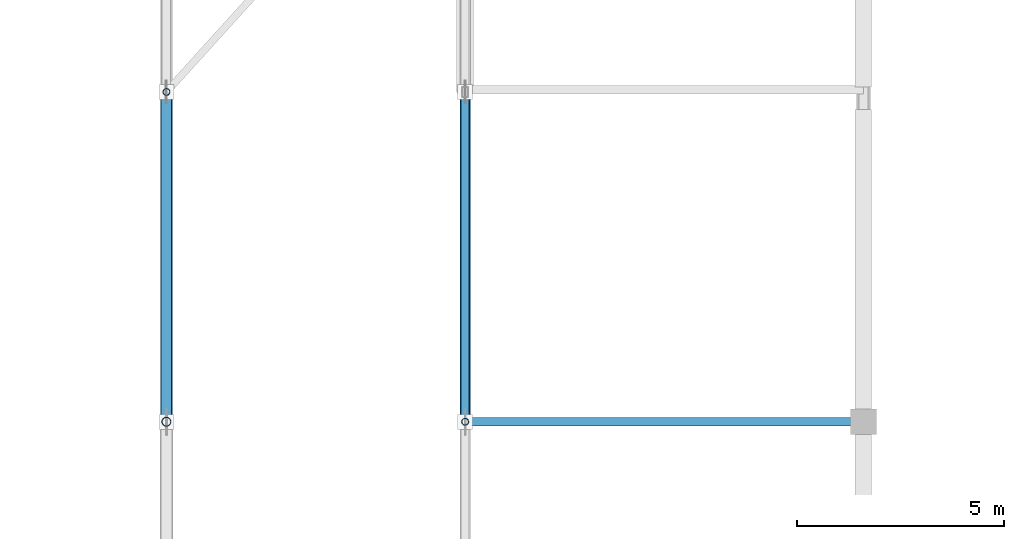
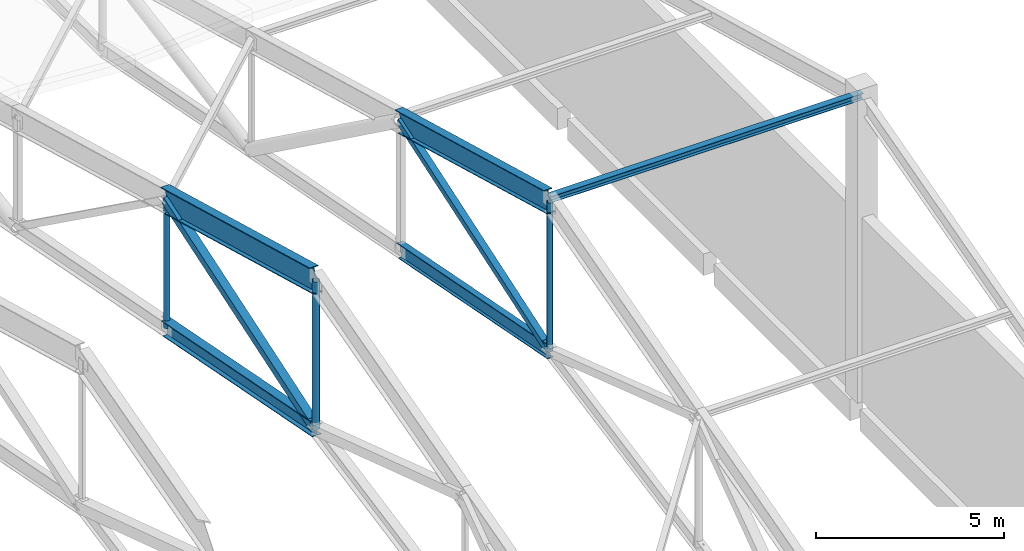
# One storey, part 20 of 53: 6 members, 4 beams.
"""IFC4 building model written with IfcOpenShell, lengths in metres."""

from ifc_helpers import new_model, si_unit, direction, frame, origin, origin_2d, place, context, subcontext, project, spatial, hollow_rectangle, hollow_circle, i_section, extrude, material, material_profile, profile_set, type_object, element, save


model = new_model("IFC4")

# Units and contexts
model_context = context("Model", 3, precision=1e-05, world=origin(), true_north=direction((0.0, 1.0)))
body_context = subcontext(model_context, "Body", "Model", "MODEL_VIEW")
ifc_project = project(units=[si_unit("LENGTHUNIT", "METRE"), si_unit("AREAUNIT", "SQUARE_METRE"), si_unit("VOLUMEUNIT", "CUBIC_METRE"), si_unit("PLANEANGLEUNIT", "RADIAN"), si_unit("MASSUNIT", "GRAM", prefix="KILO")], contexts=[model_context])

# Site, building, storey
site_placement = place(None, origin())
site = spatial("IfcSite", under=ifc_project, at=site_placement, CompositionType="ELEMENT")
building_placement = place(site_placement, origin())
building = spatial("IfcBuilding", under=site, at=building_placement, Name="Pellamere Symphony Hall", CompositionType="ELEMENT")
storey_placement = place(building_placement, frame((0.0, 0.0, 24.0)))
storey = spatial("IfcBuildingStorey", under=building, at=storey_placement, Name="L05", CompositionType="ELEMENT", Elevation=24.0)

# Beams
ifc_material = material(Name="Steel CSA G40.21 350W", Category="steel")
ifc_material_profile_1 = material_profile(ifc_material, i_section(OverallWidth=0.26806640625, OverallDepth=0.77001953125, WebThickness=0.015625, FlangeThickness=0.025390625, at=origin_2d()), Name="W760X196")
ifc_profile_set_1 = profile_set([ifc_material_profile_1], Name="Steel CSA G40.21 350W")
beam_type_1 = type_object("IfcBeamType", Name="Steel Beam SB-06 W760X196", PredefinedType="BEAM", material=ifc_profile_set_1)
beam_1_placement = place(storey_placement, frame((102.0, 61.800048828125, 9.610107421875), z_axis=(0.0, 0.964082854885, -0.265601673408), x_axis=(-1.0, 0.0, 0.0)))
element("IfcBeam", 1, at=beam_1_placement, inside=storey, type_object=beam_type_1, Name="Roof Truss TR-07 Top Chord 5", PredefinedType="BEAM", context=body_context, shape_type="SweptSolid", body=[
    extrude(i_section(OverallWidth=0.26806640625, OverallDepth=0.77001953125, WebThickness=0.015625, FlangeThickness=0.025390625, at=origin_2d()), origin(), (0.0, 0.0, 1.0), 8.24609375),
])
ifc_material_profile_2 = material_profile(ifc_material, i_section(OverallWidth=0.25390625, OverallDepth=0.68798828125, WebThickness=0.01318359375, FlangeThickness=0.02099609375, at=origin_2d()), Name="W690X152")
ifc_profile_set_2 = profile_set([ifc_material_profile_2], Name="Steel CSA G40.21 350W")
beam_type_2 = type_object("IfcBeamType", Name="Steel Beam SB-08 W690X152", PredefinedType="BEAM", material=ifc_profile_set_2)
beam_2_placement = place(storey_placement, frame((109.199951171875, 61.800048828125, 9.65087890625), z_axis=(0.0, 0.964090435702, -0.265574154969), x_axis=(-1.0, 0.0, 0.0)))
element("IfcBeam", 2, at=beam_2_placement, inside=storey, type_object=beam_type_2, Name="Roof Truss TR-08 Top Chord 5", PredefinedType="BEAM", context=body_context, shape_type="SweptSolid", body=[
    extrude(i_section(OverallWidth=0.25390625, OverallDepth=0.68798828125, WebThickness=0.01318359375, FlangeThickness=0.02099609375, at=origin_2d()), origin(), (0.0, 0.0, 1.0), 8.24609375),
])
ifc_material_profile_3 = material_profile(ifc_material, i_section(OverallWidth=0.282958984375, OverallDepth=0.471923828125, WebThickness=0.013671875, FlangeThickness=0.022216796875, at=origin_2d()), Name="W460X144")
ifc_profile_set_3 = profile_set([ifc_material_profile_3], Name="Steel CSA G40.21 350W")
beam_type_3 = type_object("IfcBeamType", Name="Steel Beam SB-15 W460X144", PredefinedType="BEAM", material=ifc_profile_set_3)
beam_3_placement = place(storey_placement, frame((102.0, 61.800048828125, 4.800048828125), z_axis=(0.0, 0.981596715528, -0.190965672477), x_axis=(-1.0, 0.0, 0.0)))
element("IfcBeam", 3, at=beam_3_placement, inside=storey, type_object=beam_type_3, Name="Roof Truss TR-07 Bottom Chord 5", PredefinedType="BEAM", context=body_context, shape_type="SweptSolid", body=[
    extrude(i_section(OverallWidth=0.282958984375, OverallDepth=0.471923828125, WebThickness=0.013671875, FlangeThickness=0.022216796875, at=origin_2d()), origin(), (0.0, 0.0, 1.0), 8.09912109375),
])
ifc_material_profile_4 = material_profile(ifc_material, i_section(OverallWidth=0.194091796875, OverallDepth=0.468994140625, WebThickness=0.011474609375, FlangeThickness=0.019287109375, at=origin_2d()), Name="W460X106")
ifc_profile_set_4 = profile_set([ifc_material_profile_4], Name="Steel CSA G40.21 350W")
beam_type_4 = type_object("IfcBeamType", Name="Steel Beam SB-16 W460X106", PredefinedType="BEAM", material=ifc_profile_set_4)
beam_4_placement = place(storey_placement, frame((109.199951171875, 61.800048828125, 4.800048828125), z_axis=(0.0, 0.981596715528, -0.190965672477), x_axis=(-1.0, 0.0, 0.0)))
element("IfcBeam", 4, at=beam_4_placement, inside=storey, type_object=beam_type_4, Name="Roof Truss TR-08 Bottom Chord 5", PredefinedType="BEAM", context=body_context, shape_type="SweptSolid", body=[
    extrude(i_section(OverallWidth=0.194091796875, OverallDepth=0.468994140625, WebThickness=0.011474609375, FlangeThickness=0.019287109375, at=origin_2d()), origin(), (0.0, 0.0, 1.0), 8.09912109375),
])

# Members
ifc_material_profile_5 = material_profile(ifc_material, hollow_rectangle(XDim=0.25390625, YDim=0.25390625, WallThickness=0.0126953125, at=origin_2d()), Name="HSS254X254X13")
ifc_profile_set_5 = profile_set([ifc_material_profile_5], Name="Steel CSA G40.21 350W")
member_type_1 = type_object("IfcMemberType", Name="Steel Member SM-03 HSS254X254X13", PredefinedType="BRACE", material=ifc_profile_set_5)
member_1_placement = place(storey_placement, frame((102.0, 61.800048828125, 4.800048828125), z_axis=(0.0, 0.949756943638, 0.312988415139), x_axis=(-1.0, 0.0, 0.0)))
element("IfcMember", 5, at=member_1_placement, inside=storey, type_object=member_type_1, Name="Roof Truss TR-07 Web Diagonal 5", PredefinedType="BRACE", context=body_context, shape_type="SweptSolid", body=[
    extrude(hollow_rectangle(XDim=0.25390625, YDim=0.25390625, WallThickness=0.0126953125, at=origin_2d()), origin(), (0.0, 0.0, 1.0), 8.37060546875),
])
ifc_material_profile_6 = material_profile(ifc_material, hollow_rectangle(XDim=0.203125, YDim=0.203125, WallThickness=0.010986328125, at=origin_2d()), Name="HSS203X203X11")
ifc_profile_set_6 = profile_set([ifc_material_profile_6], Name="Steel CSA G40.21 350W")
member_type_2 = type_object("IfcMemberType", Name="Steel Member SM-04 HSS203X203X11", PredefinedType="BRACE", material=ifc_profile_set_6)
member_2_placement = place(storey_placement, frame((109.199951171875, 61.800048828125, 4.800048828125), z_axis=(0.0, 0.94829234394, 0.317398220576), x_axis=(-1.0, 0.0, 0.0)))
element("IfcMember", 6, at=member_2_placement, inside=storey, type_object=member_type_2, Name="Roof Truss TR-08 Web Diagonal 5", PredefinedType="BRACE", context=body_context, shape_type="SweptSolid", body=[
    extrude(hollow_rectangle(XDim=0.203125, YDim=0.203125, WallThickness=0.010986328125, at=origin_2d()), origin(), (0.0, 0.0, 1.0), 8.383544921875),
])
ifc_material_profile_7 = material_profile(ifc_material, hollow_circle(Radius=0.109619140625, WallThickness=0.009521484375, at=origin_2d()), Name="HSS219X10")
ifc_profile_set_7 = profile_set([ifc_material_profile_7], Name="Steel CSA G40.21 350W")
member_type_3 = type_object("IfcMemberType", Name="Steel Member SM-13 HSS219X10", PredefinedType="STRUT", material=ifc_profile_set_7)
member_3_placement = place(storey_placement, frame((102.0, 61.800048828125, 4.800048828125), z_axis=(0.0, 0.0, 1.0), x_axis=(1.0, 0.0, 0.0)))
element("IfcMember", 7, at=member_3_placement, inside=storey, type_object=member_type_3, Name="Roof Truss TR-07 Vertical Post 4", PredefinedType="STRUT", context=body_context, shape_type="SweptSolid", body=[
    extrude(hollow_circle(Radius=0.109619140625, WallThickness=0.009521484375, at=origin_2d()), origin(), (0.0, 0.0, 1.0), 4.81005859375),
])
ifc_material_profile_8 = material_profile(ifc_material, hollow_circle(Radius=0.084228515625, WallThickness=0.008056640625, at=origin_2d()), Name="HSS168X8")
ifc_profile_set_8 = profile_set([ifc_material_profile_8], Name="Steel CSA G40.21 350W")
member_type_4 = type_object("IfcMemberType", Name="Steel Member SM-14 HSS168X8", PredefinedType="COLLAR", material=ifc_profile_set_8)
member_4_placement = place(storey_placement, frame((102.0, 69.75, 3.25341796875), z_axis=(0.0, 0.0, 1.0), x_axis=(1.0, 0.0, 0.0)))
element("IfcMember", 8, at=member_4_placement, inside=storey, type_object=member_type_4, Name="Roof Truss TR-07 Vertical Post 5", PredefinedType="COLLAR", context=body_context, shape_type="SweptSolid", body=[
    extrude(hollow_circle(Radius=0.084228515625, WallThickness=0.008056640625, at=origin_2d()), origin(), (0.0, 0.0, 1.0), 4.16650390625),
])
member_5_placement = place(storey_placement, frame((109.199951171875, 61.800048828125, 4.800048828125), z_axis=(0.0, 0.0, 1.0), x_axis=(1.0, 0.0, 0.0)))
element("IfcMember", 9, at=member_5_placement, inside=storey, type_object=member_type_4, Name="Roof Truss TR-08 Vertical Post 4", PredefinedType="COLLAR", context=body_context, shape_type="SweptSolid", body=[
    extrude(hollow_circle(Radius=0.084228515625, WallThickness=0.008056640625, at=origin_2d()), origin(), (0.0, 0.0, 1.0), 4.850830078125),
])
ifc_material_profile_9 = material_profile(ifc_material, i_section(OverallWidth=0.2041015625, OverallDepth=0.2060546875, WebThickness=0.0078125, FlangeThickness=0.0126953125, at=origin_2d()), Name="W200X52")
ifc_profile_set_9 = profile_set([ifc_material_profile_9], Name="Steel CSA G40.21 350W")
member_type_5 = type_object("IfcMemberType", Name="Steel Member SM-15 W200X52", PredefinedType="PURLIN", material=ifc_profile_set_9)
member_6_placement = place(storey_placement, frame((109.199951171875, 61.800048828125, 9.760009765625), z_axis=(1.0, 0.0, 0.0), x_axis=(0.0, 1.0, 0.0)))
element("IfcMember", 10, at=member_6_placement, inside=storey, type_object=member_type_5, Name="Crystal Foyer Roof Purlin E.4", PredefinedType="PURLIN", context=body_context, shape_type="SweptSolid", body=[
    extrude(i_section(OverallWidth=0.2041015625, OverallDepth=0.2060546875, WebThickness=0.0078125, FlangeThickness=0.0126953125, at=origin_2d()), origin(), (0.0, 0.0, 1.0), 9.60009765625),
])

save(model, "model.ifc")
